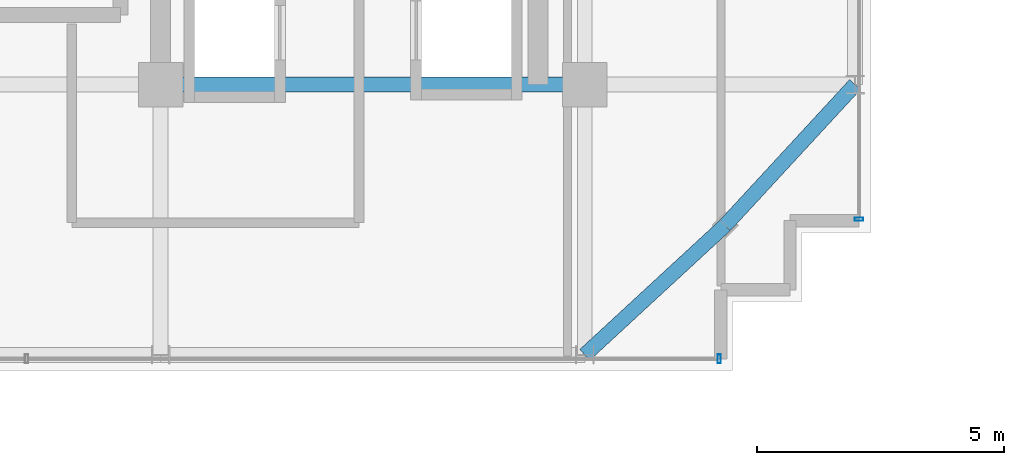
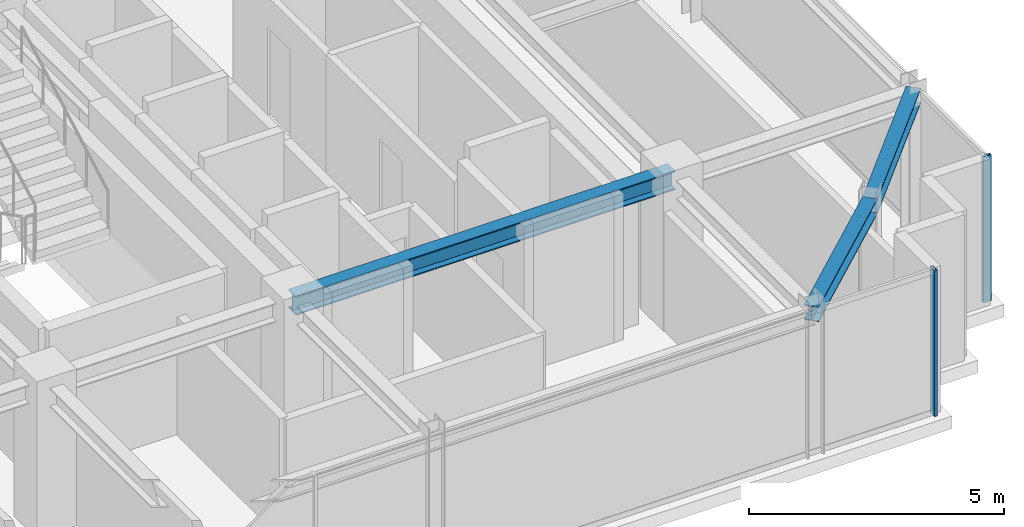
# One storey, part 11 of 33: 3 beams, 2 members, 2 elements without a shape of their own.
"""IFC4 building model written with IfcOpenShell, lengths in metres."""

from ifc_helpers import new_model, si_unit, direction, frame, origin, origin_2d, place, context, subcontext, project, spatial, hollow_rectangle, i_section, extrude, source, transform, mapped, material, material_profile, profile_set, type_object, element, aggregate, save


model = new_model("IFC4")

# Units and contexts
model_context = context("Model", 3, precision=1e-05, world=origin(), true_north=direction((0.0, 1.0)))
body_context = subcontext(model_context, "Body", "Model", "MODEL_VIEW")
ifc_project = project(units=[si_unit("LENGTHUNIT", "METRE"), si_unit("AREAUNIT", "SQUARE_METRE"), si_unit("VOLUMEUNIT", "CUBIC_METRE"), si_unit("PLANEANGLEUNIT", "RADIAN"), si_unit("MASSUNIT", "GRAM", prefix="KILO")], contexts=[model_context])

# Site, building, storey
site_placement = place(None, origin())
site = spatial("IfcSite", under=ifc_project, at=site_placement, CompositionType="ELEMENT")
building_placement = place(site_placement, origin())
building = spatial("IfcBuilding", under=site, at=building_placement, Name="Nahalor Promenade Grand Hotel", CompositionType="ELEMENT")
storey_placement = place(building_placement, frame((0.0, 0.0, 315.75)))
storey = spatial("IfcBuildingStorey", under=building, at=storey_placement, Name="L81", CompositionType="ELEMENT", Elevation=315.75)

# Beams
ifc_material_1 = material(Name="Steel S355JR", Category="steel")
ifc_material_profile_1 = material_profile(ifc_material_1, i_section(OverallWidth=0.3, OverallDepth=0.45, WebThickness=0.014, FlangeThickness=0.026, at=origin_2d()), Name="HEB 450")
ifc_profile_set_1 = profile_set([ifc_material_profile_1], Name="Steel S355JR")
beam_type_1 = type_object("IfcBeamType", Name="Beam-Girder-HEB450", PredefinedType="BEAM", material=ifc_profile_set_1)
shared_shape_1 = source(origin(), body_context, "Body", "SweptSolid", [
    extrude(i_section(OverallWidth=0.3, OverallDepth=0.45, WebThickness=0.014, FlangeThickness=0.026, at=origin_2d()), origin(), (0.0, 0.0, 1.0), 8.60009765625),
])
beam_placement = place(storey_placement, frame((8.39990234375, -17.0, 3.27490234375), z_axis=(1.0, 0.0, 0.0), x_axis=(0.0, 1.0, 0.0)))
element("IfcBeam", 1, at=beam_placement, inside=storey, type_object=beam_type_1, Name="BM-L81-GX-0-5", PredefinedType="BEAM", context=body_context, shape_type="MappedRepresentation", body=[
    mapped(shared_shape_1, transform((0.0, 0.0, 0.0), scale=1.0)),
])
ifc_material_profile_2 = material_profile(ifc_material_1, i_section(OverallWidth=0.3, OverallDepth=0.36, WebThickness=0.0125, FlangeThickness=0.0225, at=origin_2d()), Name="HEB 360")
ifc_profile_set_2 = profile_set([ifc_material_profile_2], Name="Steel S355JR")
beam_type_2 = type_object("IfcBeamType", Name="Beam-Spandrel-HEB360", PredefinedType="SPANDREL", material=ifc_profile_set_2)
shared_shape_2 = source(origin(), body_context, "Body", "SweptSolid", [
    extrude(i_section(OverallWidth=0.3, OverallDepth=0.36, WebThickness=0.0125, FlangeThickness=0.0225, at=origin_2d()), origin(), (0.0, 0.0, 1.0), 3.878173828125),
])
for number, where, z_axis, x_axis, name in (
    (2, (17.0, -22.47998046875, 3.320068359375), (0.73492893846, 0.678144125843, 0.0), (-0.678144125843, 0.73492893846, 0.0), "BM-L81-SPC-SE-1"),
    (3, (19.85009765625, -19.85009765625, 3.320068359375), (0.678144125843, 0.73492893846, 0.0), (-0.73492893846, 0.678144125843, 0.0), "BM-L81-SPC-SE-2"),
):
    element("IfcBeam", number, at=place(storey_placement, frame(where, z_axis=z_axis, x_axis=x_axis)), inside=storey, type_object=beam_type_2, Name=name, PredefinedType="SPANDREL", context=body_context, shape_type="MappedRepresentation", body=[
        mapped(shared_shape_2, transform((0.0, 0.0, 0.0), scale=1.0)),
    ])

# Curtain wall, member
ifc_material_2 = material(Name="Anodised Bronze Aluminium EN AW-6063 T6", Category="aluminium")
curtain_wall_type = type_object("IfcCurtainWallType", Name="CW2 Typical Hotel Flush Bronze Unitised Curtain Wall", PredefinedType="USERDEFINED", material=ifc_material_2)
curtain_wall_1_placement = place(storey_placement, origin())
curtain_wall_1 = element("IfcCurtainWall", 4, at=curtain_wall_1_placement, inside=storey, type_object=curtain_wall_type, Name="L81 Curtain Wall CW-L81-S-3", ObjectType="UNITISED_CURTAIN_WALL", PredefinedType="USERDEFINED")
ifc_material_profile_3 = material_profile(ifc_material_2, hollow_rectangle(XDim=0.065, YDim=0.18, WallThickness=0.004, at=origin_2d()), Name="CWM 65x180x4")
ifc_profile_set_3 = profile_set([ifc_material_profile_3], Name="Anodised Bronze Aluminium EN AW-6063 T6")
member_type = type_object("IfcMemberType", Name="CWM2 Typical Bronze Mullion 65x180", PredefinedType="MULLION", material=ifc_profile_set_3)
shared_shape_3 = source(origin(), body_context, "Body", "SweptSolid", [
    extrude(hollow_rectangle(XDim=0.065, YDim=0.18, WallThickness=0.004, at=origin_2d()), origin(), (0.0, 0.0, 1.0), 3.5),
])
member_1_placement = place(storey_placement, frame((19.7275390625, -22.56005859375, 0.0), z_axis=(0.0, 0.0, 1.0), x_axis=(1.0, 0.0, 0.0)))
member_1 = element("IfcMember", 5, at=member_1_placement, type_object=member_type, Name="CW-L81-S-3 Mullion 2", PredefinedType="MULLION", context=body_context, shape_type="MappedRepresentation", body=[
    mapped(shared_shape_3, transform((0.0, 0.0, 0.0), scale=1.0)),
])
aggregate(curtain_wall_1, [member_1])

curtain_wall_2_placement = place(storey_placement, origin())
curtain_wall_2 = element("IfcCurtainWall", 6, at=curtain_wall_2_placement, inside=storey, type_object=curtain_wall_type, Name="L81 Curtain Wall CW-L81-E-1", ObjectType="UNITISED_CURTAIN_WALL", PredefinedType="USERDEFINED")
member_2_placement = place(storey_placement, frame((22.56005859375, -19.7275390625, 0.0), z_axis=(0.0, 0.0, 1.0), x_axis=(0.0, 1.0, 0.0)))
member_2 = element("IfcMember", 7, at=member_2_placement, type_object=member_type, Name="CW-L81-E-1 Mullion 0", PredefinedType="MULLION", context=body_context, shape_type="MappedRepresentation", body=[
    mapped(shared_shape_3, transform((0.0, 0.0, 0.0), scale=1.0)),
])
aggregate(curtain_wall_2, [member_2])

save(model, "model.ifc")
